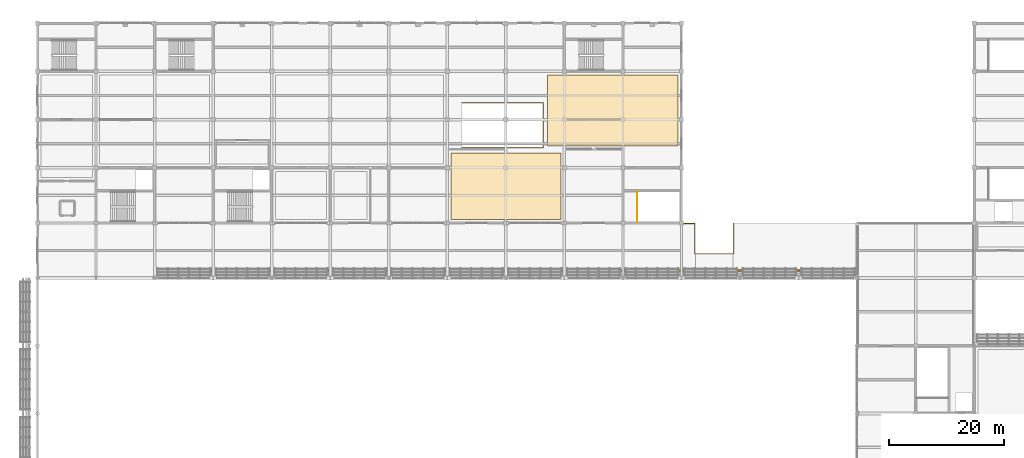
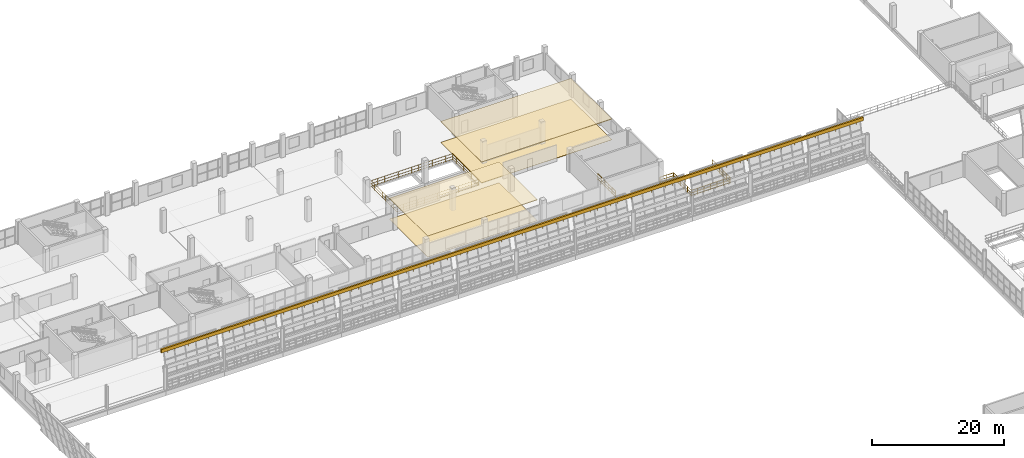
# One storey, part 152 of 157: 4 coverings, 4 railings.
"""IFC4 building model written with IfcOpenShell, lengths in metres."""

from ifc_helpers import new_model, si_unit, direction, frame, origin, origin_2d, place, context, subcontext, project, spatial, polyline, rectangle, circle, outline, extrude, material, layer, layer_set, type_object, element, save


model = new_model("IFC4")

# Units and contexts
model_context = context("Model", 3, precision=1e-05, world=origin(), true_north=direction((0.0, 1.0)))
body_context = subcontext(model_context, "Body", "Model", "MODEL_VIEW")
ifc_project = project(units=[si_unit("LENGTHUNIT", "METRE"), si_unit("AREAUNIT", "SQUARE_METRE"), si_unit("VOLUMEUNIT", "CUBIC_METRE"), si_unit("PLANEANGLEUNIT", "RADIAN"), si_unit("MASSUNIT", "GRAM", prefix="KILO")], contexts=[model_context])

# Site, building, storey
site_placement = place(None, origin())
site = spatial("IfcSite", under=ifc_project, at=site_placement, CompositionType="ELEMENT")
building_placement = place(site_placement, origin())
building = spatial("IfcBuilding", under=site, at=building_placement, Name="Brelvane Convention Centre", CompositionType="ELEMENT")
storey_placement = place(building_placement, frame((0.0, 0.0, 10.800048828125)))
storey = spatial("IfcBuildingStorey", under=building, at=storey_placement, Name="L02", CompositionType="ELEMENT", Elevation=10.800048828125)

# Coverings
ifc_material_1 = material(Name="Perforated Anodised Aluminium Alloy 6063 Acoustic Baffle", Category="aluminium")
ifc_layer_1 = layer(ifc_material_1, 0.110107421875)
ifc_layer_set_1 = layer_set([ifc_layer_1], Name="Perforated Anodised Aluminium Alloy 6063 Acoustic Baffle")
covering_type_1 = type_object("IfcCoveringType", Name="Interior Finish CL-BAF-110", PredefinedType="CEILING", material=ifc_layer_set_1)
covering_1_placement = place(storey_placement, frame((0.0, 0.0, 3.794921875)))
element("IfcCovering", 1, at=covering_1_placement, inside=storey, type_object=covering_type_1, Name="Meeting Room 305 Acoustic Ceiling (CL-BAF-110)", PredefinedType="CEILING", context=body_context, shape_type="SweptSolid", body=[
    extrude(outline(polyline([(88.830078125, 122.6298828125), (111.570068359375, 122.6298828125), (111.570068359375, 134.969970703125), (88.830078125, 134.969970703125), (88.830078125, 122.6298828125)])), origin(), (0.0, 0.0, 1.0), 0.110107421875),
])
ifc_material_2 = material(Name="Perforated Anodised Aluminium Alloy 6063 Acoustic Baffle", Category="aluminium")
ifc_layer_2 = layer(ifc_material_2, 0.090087890625)
ifc_layer_set_2 = layer_set([ifc_layer_2], Name="Perforated Anodised Aluminium Alloy 6063 Acoustic Baffle")
covering_type_2 = type_object("IfcCoveringType", Name="Interior Finish CL-BAF-90", PredefinedType="CEILING", material=ifc_layer_set_2)
covering_2_placement = place(storey_placement, frame((0.0, 0.0, 3.81494140625)))
element("IfcCovering", 2, at=covering_2_placement, inside=storey, type_object=covering_type_2, Name="Seminar Room 304 Acoustic Ceiling (CL-BAF-90)", PredefinedType="CEILING", context=body_context, shape_type="SweptSolid", body=[
    extrude(outline(polyline([(72.030029296875, 109.830078125), (91.169921875, 109.830078125), (91.169921875, 121.3701171875), (72.030029296875, 121.3701171875), (72.030029296875, 109.830078125)])), origin(), (0.0, 0.0, 1.0), 0.090087890625),
])
ifc_material_3 = material(Name="Heavy-Duty Quartz-Filled Industrial Epoxy Screed Grade A")
ifc_layer_3 = layer(ifc_material_3, 0.034912109375)
ifc_layer_set_3 = layer_set([ifc_layer_3], Name="Heavy-Duty Quartz-Filled Industrial Epoxy Screed Grade A")
covering_type_3 = type_object("IfcCoveringType", Name="Interior Finish FL-EPX-35", PredefinedType="FLOORING", material=ifc_layer_set_3)
covering_3_placement = place(storey_placement, origin())
element("IfcCovering", 3, at=covering_3_placement, inside=storey, type_object=covering_type_3, Name="Seminar Room 304 Floor Finish (FL-EPX-35)", PredefinedType="FLOORING", context=body_context, shape_type="SweptSolid", body=[
    extrude(outline(polyline([(72.030029296875, 109.830078125), (91.169921875, 109.830078125), (91.169921875, 121.3701171875), (72.030029296875, 121.3701171875), (72.030029296875, 109.830078125)])), origin(), (0.0, 0.0, 1.0), 0.034912109375),
])
ifc_material_4 = material(Name="Heavy-Duty Quartz-Filled Industrial Epoxy Screed Grade A")
ifc_layer_4 = layer(ifc_material_4, 0.044921875)
ifc_layer_set_4 = layer_set([ifc_layer_4], Name="Heavy-Duty Quartz-Filled Industrial Epoxy Screed Grade A")
covering_type_4 = type_object("IfcCoveringType", Name="Interior Finish FL-EPX-45", PredefinedType="FLOORING", material=ifc_layer_set_4)
covering_4_placement = place(storey_placement, origin())
element("IfcCovering", 4, at=covering_4_placement, inside=storey, type_object=covering_type_4, Name="Meeting Room 305 Floor Finish (FL-EPX-45)", PredefinedType="FLOORING", context=body_context, shape_type="SweptSolid", body=[
    extrude(outline(polyline([(88.830078125, 122.6298828125), (111.570068359375, 122.6298828125), (111.570068359375, 134.969970703125), (88.830078125, 134.969970703125), (88.830078125, 122.6298828125)])), origin(), (0.0, 0.0, 1.0), 0.044921875),
])

# Railings
ifc_material_5 = material(Name="Steel E350 (350 MPa)", Category="steel")
railing_type_1 = type_object("IfcRailingType", Name="Railing BL-ATR-1", PredefinedType="BALUSTRADE", material=ifc_material_5)
railing_1_placement = place(storey_placement, frame((73.8798828125, 122.280029296875, 0.0)))
element("IfcRailing", 5, at=railing_1_placement, inside=storey, type_object=railing_type_1, Name="Railing BL-ATR-1 L02-atrium_well_07", PredefinedType="BALUSTRADE", context=body_context, shape_type="SweptSolid", body=[
    extrude(circle(Radius=0.02392578125, at=origin_2d()), frame((0.0, 0.0, 1.15576171875), z_axis=(1.0, 0.0, 0.0), x_axis=(0.0, 1.0, 0.0)), (0.0, 0.0, 1.0), 14.240234375),
    extrude(circle(Radius=0.02392578125, at=origin_2d()), frame((0.0, 0.0, 0.613525390625), z_axis=(1.0, 0.0, 0.0), x_axis=(0.0, 1.0, 0.0)), (0.0, 0.0, 1.0), 14.240234375),
    extrude(circle(Radius=0.02392578125, at=origin_2d()), frame((0.0, 0.0, 0.139892578125), z_axis=(1.0, 0.0, 0.0), x_axis=(0.0, 1.0, 0.0)), (0.0, 0.0, 1.0), 14.240234375),
    extrude(circle(Radius=0.02392578125, at=origin_2d()), frame((14.240234375, 0.0, 1.15576171875), z_axis=(0.0, 1.0, 0.0), x_axis=(-1.0, 0.0, 0.0)), (0.0, 0.0, 1.0), 7.840087890625),
    extrude(circle(Radius=0.02392578125, at=origin_2d()), frame((14.240234375, 0.0, 0.613525390625), z_axis=(0.0, 1.0, 0.0), x_axis=(-1.0, 0.0, 0.0)), (0.0, 0.0, 1.0), 7.840087890625),
    extrude(circle(Radius=0.02392578125, at=origin_2d()), frame((14.240234375, 0.0, 0.139892578125), z_axis=(0.0, 1.0, 0.0), x_axis=(-1.0, 0.0, 0.0)), (0.0, 0.0, 1.0), 7.840087890625),
    extrude(circle(Radius=0.02392578125, at=origin_2d()), frame((14.240234375, 7.840087890625, 1.15576171875), z_axis=(-1.0, 0.0, 0.0), x_axis=(0.0, -1.0, 0.0)), (0.0, 0.0, 1.0), 14.240234375),
    extrude(circle(Radius=0.02392578125, at=origin_2d()), frame((14.240234375, 7.840087890625, 0.613525390625), z_axis=(-1.0, 0.0, 0.0), x_axis=(0.0, -1.0, 0.0)), (0.0, 0.0, 1.0), 14.240234375),
    extrude(circle(Radius=0.02392578125, at=origin_2d()), frame((14.240234375, 7.840087890625, 0.139892578125), z_axis=(-1.0, 0.0, 0.0), x_axis=(0.0, -1.0, 0.0)), (0.0, 0.0, 1.0), 14.240234375),
    extrude(circle(Radius=0.02392578125, at=origin_2d()), frame((0.0, 7.840087890625, 1.15576171875), z_axis=(0.0, -1.0, 0.0), x_axis=(1.0, 0.0, 0.0)), (0.0, 0.0, 1.0), 7.835205078125),
    extrude(circle(Radius=0.02392578125, at=origin_2d()), frame((0.0, 7.840087890625, 0.613525390625), z_axis=(0.0, -1.0, 0.0), x_axis=(1.0, 0.0, 0.0)), (0.0, 0.0, 1.0), 7.835205078125),
    extrude(circle(Radius=0.02392578125, at=origin_2d()), frame((0.0, 7.840087890625, 0.139892578125), z_axis=(0.0, -1.0, 0.0), x_axis=(1.0, 0.0, 0.0)), (0.0, 0.0, 1.0), 7.835205078125),
    extrude(circle(Radius=0.02099609375, at=origin_2d()), origin(), (0.0, 0.0, 1.0), 1.1318359375),
    extrude(circle(Radius=0.02099609375, at=origin_2d()), frame((1.186767578125, 0.0, 0.0)), (0.0, 0.0, 1.0), 1.1318359375),
    extrude(circle(Radius=0.02099609375, at=origin_2d()), frame((2.373291015625, 0.0, 0.0)), (0.0, 0.0, 1.0), 1.1318359375),
    extrude(circle(Radius=0.02099609375, at=origin_2d()), frame((3.56005859375, 0.0, 0.0)), (0.0, 0.0, 1.0), 1.1318359375),
    extrude(circle(Radius=0.02099609375, at=origin_2d()), frame((4.746826171875, 0.0, 0.0)), (0.0, 0.0, 1.0), 1.1318359375),
    extrude(circle(Radius=0.02099609375, at=origin_2d()), frame((5.933349609375, 0.0, 0.0)), (0.0, 0.0, 1.0), 1.1318359375),
    extrude(circle(Radius=0.02099609375, at=origin_2d()), frame((7.1201171875, 0.0, 0.0)), (0.0, 0.0, 1.0), 1.1318359375),
    extrude(circle(Radius=0.02099609375, at=origin_2d()), frame((8.306884765625, 0.0, 0.0)), (0.0, 0.0, 1.0), 1.1318359375),
    extrude(circle(Radius=0.02099609375, at=origin_2d()), frame((9.493408203125, 0.0, 0.0)), (0.0, 0.0, 1.0), 1.1318359375),
    extrude(circle(Radius=0.02099609375, at=origin_2d()), frame((10.68017578125, 0.0, 0.0)), (0.0, 0.0, 1.0), 1.1318359375),
    extrude(circle(Radius=0.02099609375, at=origin_2d()), frame((11.866943359375, 0.0, 0.0)), (0.0, 0.0, 1.0), 1.1318359375),
    extrude(circle(Radius=0.02099609375, at=origin_2d()), frame((13.053466796875, 0.0, 0.0)), (0.0, 0.0, 1.0), 1.1318359375),
    extrude(circle(Radius=0.02099609375, at=origin_2d()), frame((14.240234375, 0.0, 0.0)), (0.0, 0.0, 1.0), 1.1318359375),
    extrude(circle(Radius=0.02099609375, at=origin_2d()), frame((14.240234375, 1.1201171875, 0.0)), (0.0, 0.0, 1.0), 1.1318359375),
    extrude(circle(Radius=0.02099609375, at=origin_2d()), frame((14.240234375, 2.239990234375, 0.0)), (0.0, 0.0, 1.0), 1.1318359375),
    extrude(circle(Radius=0.02099609375, at=origin_2d()), frame((14.240234375, 3.360107421875, 0.0)), (0.0, 0.0, 1.0), 1.1318359375),
    extrude(circle(Radius=0.02099609375, at=origin_2d()), frame((14.240234375, 4.47998046875, 0.0)), (0.0, 0.0, 1.0), 1.1318359375),
    extrude(circle(Radius=0.02099609375, at=origin_2d()), frame((14.240234375, 5.60009765625, 0.0)), (0.0, 0.0, 1.0), 1.1318359375),
    extrude(circle(Radius=0.02099609375, at=origin_2d()), frame((14.240234375, 6.719970703125, 0.0)), (0.0, 0.0, 1.0), 1.1318359375),
    extrude(circle(Radius=0.02099609375, at=origin_2d()), frame((14.240234375, 7.840087890625, 0.0)), (0.0, 0.0, 1.0), 1.1318359375),
    extrude(circle(Radius=0.02099609375, at=origin_2d()), frame((13.053466796875, 7.840087890625, 0.0)), (0.0, 0.0, 1.0), 1.1318359375),
    extrude(circle(Radius=0.02099609375, at=origin_2d()), frame((11.866943359375, 7.840087890625, 0.0)), (0.0, 0.0, 1.0), 1.1318359375),
    extrude(circle(Radius=0.02099609375, at=origin_2d()), frame((10.68017578125, 7.840087890625, 0.0)), (0.0, 0.0, 1.0), 1.1318359375),
    extrude(circle(Radius=0.02099609375, at=origin_2d()), frame((9.493408203125, 7.840087890625, 0.0)), (0.0, 0.0, 1.0), 1.1318359375),
    extrude(circle(Radius=0.02099609375, at=origin_2d()), frame((8.306884765625, 7.840087890625, 0.0)), (0.0, 0.0, 1.0), 1.1318359375),
    extrude(circle(Radius=0.02099609375, at=origin_2d()), frame((7.1201171875, 7.840087890625, 0.0)), (0.0, 0.0, 1.0), 1.1318359375),
    extrude(circle(Radius=0.02099609375, at=origin_2d()), frame((5.933349609375, 7.840087890625, 0.0)), (0.0, 0.0, 1.0), 1.1318359375),
    extrude(circle(Radius=0.02099609375, at=origin_2d()), frame((4.746826171875, 7.840087890625, 0.0)), (0.0, 0.0, 1.0), 1.1318359375),
    extrude(circle(Radius=0.02099609375, at=origin_2d()), frame((3.56005859375, 7.840087890625, 0.0)), (0.0, 0.0, 1.0), 1.1318359375),
    extrude(circle(Radius=0.02099609375, at=origin_2d()), frame((2.373291015625, 7.840087890625, 0.0)), (0.0, 0.0, 1.0), 1.1318359375),
    extrude(circle(Radius=0.02099609375, at=origin_2d()), frame((1.186767578125, 7.840087890625, 0.0)), (0.0, 0.0, 1.0), 1.1318359375),
    extrude(circle(Radius=0.02099609375, at=origin_2d()), frame((0.0, 7.840087890625, 0.0)), (0.0, 0.0, 1.0), 1.1318359375),
    extrude(circle(Radius=0.02099609375, at=origin_2d()), frame((0.0, 6.720703125, 0.0)), (0.0, 0.0, 1.0), 1.1318359375),
    extrude(circle(Radius=0.02099609375, at=origin_2d()), frame((0.0, 5.6015625, 0.0)), (0.0, 0.0, 1.0), 1.1318359375),
    extrude(circle(Radius=0.02099609375, at=origin_2d()), frame((0.0, 4.482177734375, 0.0)), (0.0, 0.0, 1.0), 1.1318359375),
    extrude(circle(Radius=0.02099609375, at=origin_2d()), frame((0.0, 3.36279296875, 0.0)), (0.0, 0.0, 1.0), 1.1318359375),
    extrude(circle(Radius=0.02099609375, at=origin_2d()), frame((0.0, 2.243408203125, 0.0)), (0.0, 0.0, 1.0), 1.1318359375),
    extrude(circle(Radius=0.02099609375, at=origin_2d()), frame((0.0, 1.124267578125, 0.0)), (0.0, 0.0, 1.0), 1.1318359375),
    extrude(circle(Radius=0.02099609375, at=origin_2d()), frame((0.0, 0.0048828125, 0.0)), (0.0, 0.0, 1.0), 1.1318359375),
])
ifc_material_6 = material(Name="Steel E350 (350 MPa)", Category="steel")
railing_type_2 = type_object("IfcRailingType", Name="Railing BL-CU-1", PredefinedType="BALUSTRADE", material=ifc_material_6)
railing_2_placement = place(storey_placement, frame((20.39990234375, 100.906982421875, 5.39990234375)))
element("IfcRailing", 6, at=railing_2_placement, inside=storey, type_object=railing_type_2, Name="Railing BL-CU-1 L02-cu_hull_n_6", PredefinedType="BALUSTRADE", context=body_context, shape_type="SweptSolid", body=[
    extrude(rectangle(XDim=0.280029296875, YDim=0.6201171875, at=origin_2d()), frame((0.0, 0.0, 0.81005859375), z_axis=(1.0, 0.0, 0.0), x_axis=(0.0, 1.0, 0.0)), (0.0, 0.0, 1.0), 122.400146484375),
    extrude(circle(Radius=0.02099609375, at=origin_2d()), origin(), (0.0, 0.0, 1.0), 1.072021484375),
    extrude(circle(Radius=0.02099609375, at=origin_2d()), frame((1.188232421875, 0.0, 0.0)), (0.0, 0.0, 1.0), 1.072021484375),
    extrude(circle(Radius=0.02099609375, at=origin_2d()), frame((2.376708984375, 0.0, 0.0)), (0.0, 0.0, 1.0), 1.072021484375),
    extrude(circle(Radius=0.02099609375, at=origin_2d()), frame((3.56494140625, 0.0, 0.0)), (0.0, 0.0, 1.0), 1.072021484375),
    extrude(circle(Radius=0.02099609375, at=origin_2d()), frame((4.75341796875, 0.0, 0.0)), (0.0, 0.0, 1.0), 1.072021484375),
    extrude(circle(Radius=0.02099609375, at=origin_2d()), frame((5.941650390625, 0.0, 0.0)), (0.0, 0.0, 1.0), 1.072021484375),
    extrude(circle(Radius=0.02099609375, at=origin_2d()), frame((7.130126953125, 0.0, 0.0)), (0.0, 0.0, 1.0), 1.072021484375),
    extrude(circle(Radius=0.02099609375, at=origin_2d()), frame((8.318359375, 0.0, 0.0)), (0.0, 0.0, 1.0), 1.072021484375),
    extrude(circle(Radius=0.02099609375, at=origin_2d()), frame((9.5068359375, 0.0, 0.0)), (0.0, 0.0, 1.0), 1.072021484375),
    extrude(circle(Radius=0.02099609375, at=origin_2d()), frame((10.695068359375, 0.0, 0.0)), (0.0, 0.0, 1.0), 1.072021484375),
    extrude(circle(Radius=0.02099609375, at=origin_2d()), frame((11.883544921875, 0.0, 0.0)), (0.0, 0.0, 1.0), 1.072021484375),
    extrude(circle(Radius=0.02099609375, at=origin_2d()), frame((13.07177734375, 0.0, 0.0)), (0.0, 0.0, 1.0), 1.072021484375),
    extrude(circle(Radius=0.02099609375, at=origin_2d()), frame((14.26025390625, 0.0, 0.0)), (0.0, 0.0, 1.0), 1.072021484375),
    extrude(circle(Radius=0.02099609375, at=origin_2d()), frame((15.448486328125, 0.0, 0.0)), (0.0, 0.0, 1.0), 1.072021484375),
    extrude(circle(Radius=0.02099609375, at=origin_2d()), frame((16.636962890625, 0.0, 0.0)), (0.0, 0.0, 1.0), 1.072021484375),
    extrude(circle(Radius=0.02099609375, at=origin_2d()), frame((17.8251953125, 0.0, 0.0)), (0.0, 0.0, 1.0), 1.072021484375),
    extrude(circle(Radius=0.02099609375, at=origin_2d()), frame((19.013671875, 0.0, 0.0)), (0.0, 0.0, 1.0), 1.072021484375),
    extrude(circle(Radius=0.02099609375, at=origin_2d()), frame((20.201904296875, 0.0, 0.0)), (0.0, 0.0, 1.0), 1.072021484375),
    extrude(circle(Radius=0.02099609375, at=origin_2d()), frame((21.390380859375, 0.0, 0.0)), (0.0, 0.0, 1.0), 1.072021484375),
    extrude(circle(Radius=0.02099609375, at=origin_2d()), frame((22.57861328125, 0.0, 0.0)), (0.0, 0.0, 1.0), 1.072021484375),
    extrude(circle(Radius=0.02099609375, at=origin_2d()), frame((23.76708984375, 0.0, 0.0)), (0.0, 0.0, 1.0), 1.072021484375),
    extrude(circle(Radius=0.02099609375, at=origin_2d()), frame((24.955322265625, 0.0, 0.0)), (0.0, 0.0, 1.0), 1.072021484375),
    extrude(circle(Radius=0.02099609375, at=origin_2d()), frame((26.143798828125, 0.0, 0.0)), (0.0, 0.0, 1.0), 1.072021484375),
    extrude(circle(Radius=0.02099609375, at=origin_2d()), frame((27.33203125, 0.0, 0.0)), (0.0, 0.0, 1.0), 1.072021484375),
    extrude(circle(Radius=0.02099609375, at=origin_2d()), frame((28.5205078125, 0.0, 0.0)), (0.0, 0.0, 1.0), 1.072021484375),
    extrude(circle(Radius=0.02099609375, at=origin_2d()), frame((29.708740234375, 0.0, 0.0)), (0.0, 0.0, 1.0), 1.072021484375),
    extrude(circle(Radius=0.02099609375, at=origin_2d()), frame((30.897216796875, 0.0, 0.0)), (0.0, 0.0, 1.0), 1.072021484375),
    extrude(circle(Radius=0.02099609375, at=origin_2d()), frame((32.08544921875, 0.0, 0.0)), (0.0, 0.0, 1.0), 1.072021484375),
    extrude(circle(Radius=0.02099609375, at=origin_2d()), frame((33.27392578125, 0.0, 0.0)), (0.0, 0.0, 1.0), 1.072021484375),
    extrude(circle(Radius=0.02099609375, at=origin_2d()), frame((34.462158203125, 0.0, 0.0)), (0.0, 0.0, 1.0), 1.072021484375),
    extrude(circle(Radius=0.02099609375, at=origin_2d()), frame((35.650634765625, 0.0, 0.0)), (0.0, 0.0, 1.0), 1.072021484375),
    extrude(circle(Radius=0.02099609375, at=origin_2d()), frame((36.8388671875, 0.0, 0.0)), (0.0, 0.0, 1.0), 1.072021484375),
    extrude(circle(Radius=0.02099609375, at=origin_2d()), frame((38.02734375, 0.0, 0.0)), (0.0, 0.0, 1.0), 1.072021484375),
    extrude(circle(Radius=0.02099609375, at=origin_2d()), frame((39.215576171875, 0.0, 0.0)), (0.0, 0.0, 1.0), 1.072021484375),
    extrude(circle(Radius=0.02099609375, at=origin_2d()), frame((40.404052734375, 0.0, 0.0)), (0.0, 0.0, 1.0), 1.072021484375),
    extrude(circle(Radius=0.02099609375, at=origin_2d()), frame((41.59228515625, 0.0, 0.0)), (0.0, 0.0, 1.0), 1.072021484375),
    extrude(circle(Radius=0.02099609375, at=origin_2d()), frame((42.780517578125, 0.0, 0.0)), (0.0, 0.0, 1.0), 1.072021484375),
    extrude(circle(Radius=0.02099609375, at=origin_2d()), frame((43.968994140625, 0.0, 0.0)), (0.0, 0.0, 1.0), 1.072021484375),
    extrude(circle(Radius=0.02099609375, at=origin_2d()), frame((45.1572265625, 0.0, 0.0)), (0.0, 0.0, 1.0), 1.072021484375),
    extrude(circle(Radius=0.02099609375, at=origin_2d()), frame((46.345703125, 0.0, 0.0)), (0.0, 0.0, 1.0), 1.072021484375),
    extrude(circle(Radius=0.02099609375, at=origin_2d()), frame((47.533935546875, 0.0, 0.0)), (0.0, 0.0, 1.0), 1.072021484375),
    extrude(circle(Radius=0.02099609375, at=origin_2d()), frame((48.722412109375, 0.0, 0.0)), (0.0, 0.0, 1.0), 1.072021484375),
    extrude(circle(Radius=0.02099609375, at=origin_2d()), frame((49.91064453125, 0.0, 0.0)), (0.0, 0.0, 1.0), 1.072021484375),
    extrude(circle(Radius=0.02099609375, at=origin_2d()), frame((51.09912109375, 0.0, 0.0)), (0.0, 0.0, 1.0), 1.072021484375),
    extrude(circle(Radius=0.02099609375, at=origin_2d()), frame((52.287353515625, 0.0, 0.0)), (0.0, 0.0, 1.0), 1.072021484375),
    extrude(circle(Radius=0.02099609375, at=origin_2d()), frame((53.475830078125, 0.0, 0.0)), (0.0, 0.0, 1.0), 1.072021484375),
    extrude(circle(Radius=0.02099609375, at=origin_2d()), frame((54.6640625, 0.0, 0.0)), (0.0, 0.0, 1.0), 1.072021484375),
    extrude(circle(Radius=0.02099609375, at=origin_2d()), frame((55.8525390625, 0.0, 0.0)), (0.0, 0.0, 1.0), 1.072021484375),
    extrude(circle(Radius=0.02099609375, at=origin_2d()), frame((57.040771484375, 0.0, 0.0)), (0.0, 0.0, 1.0), 1.072021484375),
    extrude(circle(Radius=0.02099609375, at=origin_2d()), frame((58.229248046875, 0.0, 0.0)), (0.0, 0.0, 1.0), 1.072021484375),
    extrude(circle(Radius=0.02099609375, at=origin_2d()), frame((59.41748046875, 0.0, 0.0)), (0.0, 0.0, 1.0), 1.072021484375),
    extrude(circle(Radius=0.02099609375, at=origin_2d()), frame((60.60595703125, 0.0, 0.0)), (0.0, 0.0, 1.0), 1.072021484375),
    extrude(circle(Radius=0.02099609375, at=origin_2d()), frame((61.794189453125, 0.0, 0.0)), (0.0, 0.0, 1.0), 1.072021484375),
    extrude(circle(Radius=0.02099609375, at=origin_2d()), frame((62.982666015625, 0.0, 0.0)), (0.0, 0.0, 1.0), 1.072021484375),
    extrude(circle(Radius=0.02099609375, at=origin_2d()), frame((64.1708984375, 0.0, 0.0)), (0.0, 0.0, 1.0), 1.072021484375),
    extrude(circle(Radius=0.02099609375, at=origin_2d()), frame((65.359375, 0.0, 0.0)), (0.0, 0.0, 1.0), 1.072021484375),
    extrude(circle(Radius=0.02099609375, at=origin_2d()), frame((66.547607421875, 0.0, 0.0)), (0.0, 0.0, 1.0), 1.072021484375),
    extrude(circle(Radius=0.02099609375, at=origin_2d()), frame((67.736083984375, 0.0, 0.0)), (0.0, 0.0, 1.0), 1.072021484375),
    extrude(circle(Radius=0.02099609375, at=origin_2d()), frame((68.92431640625, 0.0, 0.0)), (0.0, 0.0, 1.0), 1.072021484375),
    extrude(circle(Radius=0.02099609375, at=origin_2d()), frame((70.11279296875, 0.0, 0.0)), (0.0, 0.0, 1.0), 1.072021484375),
    extrude(circle(Radius=0.02099609375, at=origin_2d()), frame((71.301025390625, 0.0, 0.0)), (0.0, 0.0, 1.0), 1.072021484375),
    extrude(circle(Radius=0.02099609375, at=origin_2d()), frame((72.489501953125, 0.0, 0.0)), (0.0, 0.0, 1.0), 1.072021484375),
    extrude(circle(Radius=0.02099609375, at=origin_2d()), frame((73.677734375, 0.0, 0.0)), (0.0, 0.0, 1.0), 1.072021484375),
    extrude(circle(Radius=0.02099609375, at=origin_2d()), frame((74.8662109375, 0.0, 0.0)), (0.0, 0.0, 1.0), 1.072021484375),
    extrude(circle(Radius=0.02099609375, at=origin_2d()), frame((76.054443359375, 0.0, 0.0)), (0.0, 0.0, 1.0), 1.072021484375),
    extrude(circle(Radius=0.02099609375, at=origin_2d()), frame((77.242919921875, 0.0, 0.0)), (0.0, 0.0, 1.0), 1.072021484375),
    extrude(circle(Radius=0.02099609375, at=origin_2d()), frame((78.43115234375, 0.0, 0.0)), (0.0, 0.0, 1.0), 1.072021484375),
    extrude(circle(Radius=0.02099609375, at=origin_2d()), frame((79.61962890625, 0.0, 0.0)), (0.0, 0.0, 1.0), 1.072021484375),
    extrude(circle(Radius=0.02099609375, at=origin_2d()), frame((80.807861328125, 0.0, 0.0)), (0.0, 0.0, 1.0), 1.072021484375),
    extrude(circle(Radius=0.02099609375, at=origin_2d()), frame((81.99609375, 0.0, 0.0)), (0.0, 0.0, 1.0), 1.072021484375),
    extrude(circle(Radius=0.02099609375, at=origin_2d()), frame((83.1845703125, 0.0, 0.0)), (0.0, 0.0, 1.0), 1.072021484375),
    extrude(circle(Radius=0.02099609375, at=origin_2d()), frame((84.372802734375, 0.0, 0.0)), (0.0, 0.0, 1.0), 1.072021484375),
    extrude(circle(Radius=0.02099609375, at=origin_2d()), frame((85.561279296875, 0.0, 0.0)), (0.0, 0.0, 1.0), 1.072021484375),
    extrude(circle(Radius=0.02099609375, at=origin_2d()), frame((86.74951171875, 0.0, 0.0)), (0.0, 0.0, 1.0), 1.072021484375),
    extrude(circle(Radius=0.02099609375, at=origin_2d()), frame((87.93798828125, 0.0, 0.0)), (0.0, 0.0, 1.0), 1.072021484375),
    extrude(circle(Radius=0.02099609375, at=origin_2d()), frame((89.126220703125, 0.0, 0.0)), (0.0, 0.0, 1.0), 1.072021484375),
    extrude(circle(Radius=0.02099609375, at=origin_2d()), frame((90.314697265625, 0.0, 0.0)), (0.0, 0.0, 1.0), 1.072021484375),
    extrude(circle(Radius=0.02099609375, at=origin_2d()), frame((91.5029296875, 0.0, 0.0)), (0.0, 0.0, 1.0), 1.072021484375),
    extrude(circle(Radius=0.02099609375, at=origin_2d()), frame((92.69140625, 0.0, 0.0)), (0.0, 0.0, 1.0), 1.072021484375),
    extrude(circle(Radius=0.02099609375, at=origin_2d()), frame((93.879638671875, 0.0, 0.0)), (0.0, 0.0, 1.0), 1.072021484375),
    extrude(circle(Radius=0.02099609375, at=origin_2d()), frame((95.068115234375, 0.0, 0.0)), (0.0, 0.0, 1.0), 1.072021484375),
    extrude(circle(Radius=0.02099609375, at=origin_2d()), frame((96.25634765625, 0.0, 0.0)), (0.0, 0.0, 1.0), 1.072021484375),
    extrude(circle(Radius=0.02099609375, at=origin_2d()), frame((97.44482421875, 0.0, 0.0)), (0.0, 0.0, 1.0), 1.072021484375),
    extrude(circle(Radius=0.02099609375, at=origin_2d()), frame((98.633056640625, 0.0, 0.0)), (0.0, 0.0, 1.0), 1.072021484375),
    extrude(circle(Radius=0.02099609375, at=origin_2d()), frame((99.821533203125, 0.0, 0.0)), (0.0, 0.0, 1.0), 1.072021484375),
    extrude(circle(Radius=0.02099609375, at=origin_2d()), frame((101.009765625, 0.0, 0.0)), (0.0, 0.0, 1.0), 1.072021484375),
    extrude(circle(Radius=0.02099609375, at=origin_2d()), frame((102.1982421875, 0.0, 0.0)), (0.0, 0.0, 1.0), 1.072021484375),
    extrude(circle(Radius=0.02099609375, at=origin_2d()), frame((103.386474609375, 0.0, 0.0)), (0.0, 0.0, 1.0), 1.072021484375),
    extrude(circle(Radius=0.02099609375, at=origin_2d()), frame((104.574951171875, 0.0, 0.0)), (0.0, 0.0, 1.0), 1.072021484375),
    extrude(circle(Radius=0.02099609375, at=origin_2d()), frame((105.76318359375, 0.0, 0.0)), (0.0, 0.0, 1.0), 1.072021484375),
    extrude(circle(Radius=0.02099609375, at=origin_2d()), frame((106.95166015625, 0.0, 0.0)), (0.0, 0.0, 1.0), 1.072021484375),
    extrude(circle(Radius=0.02099609375, at=origin_2d()), frame((108.139892578125, 0.0, 0.0)), (0.0, 0.0, 1.0), 1.072021484375),
    extrude(circle(Radius=0.02099609375, at=origin_2d()), frame((109.328369140625, 0.0, 0.0)), (0.0, 0.0, 1.0), 1.072021484375),
    extrude(circle(Radius=0.02099609375, at=origin_2d()), frame((110.5166015625, 0.0, 0.0)), (0.0, 0.0, 1.0), 1.072021484375),
    extrude(circle(Radius=0.02099609375, at=origin_2d()), frame((111.705078125, 0.0, 0.0)), (0.0, 0.0, 1.0), 1.072021484375),
    extrude(circle(Radius=0.02099609375, at=origin_2d()), frame((112.893310546875, 0.0, 0.0)), (0.0, 0.0, 1.0), 1.072021484375),
    extrude(circle(Radius=0.02099609375, at=origin_2d()), frame((114.081787109375, 0.0, 0.0)), (0.0, 0.0, 1.0), 1.072021484375),
    extrude(circle(Radius=0.02099609375, at=origin_2d()), frame((115.27001953125, 0.0, 0.0)), (0.0, 0.0, 1.0), 1.072021484375),
    extrude(circle(Radius=0.02099609375, at=origin_2d()), frame((116.45849609375, 0.0, 0.0)), (0.0, 0.0, 1.0), 1.072021484375),
    extrude(circle(Radius=0.02099609375, at=origin_2d()), frame((117.646728515625, 0.0, 0.0)), (0.0, 0.0, 1.0), 1.072021484375),
    extrude(circle(Radius=0.02099609375, at=origin_2d()), frame((118.835205078125, 0.0, 0.0)), (0.0, 0.0, 1.0), 1.072021484375),
    extrude(circle(Radius=0.02099609375, at=origin_2d()), frame((120.0234375, 0.0, 0.0)), (0.0, 0.0, 1.0), 1.072021484375),
    extrude(circle(Radius=0.02099609375, at=origin_2d()), frame((121.2119140625, 0.0, 0.0)), (0.0, 0.0, 1.0), 1.072021484375),
    extrude(circle(Radius=0.02099609375, at=origin_2d()), frame((122.400146484375, 0.0, 0.0)), (0.0, 0.0, 1.0), 1.072021484375),
])
ifc_material_7 = material(Name="Steel E350 (350 MPa)", Category="steel")
railing_type_3 = type_object("IfcRailingType", Name="Railing GR-EXT-1", PredefinedType="GUARDRAIL", material=ifc_material_7)
railing_3_placement = place(storey_placement, frame((112.14990234375, 109.1201171875, 0.0)))
element("IfcRailing", 7, at=railing_3_placement, inside=storey, type_object=railing_type_3, Name="Railing GR-EXT-1 L02-court_vr1_pit_L02", PredefinedType="GUARDRAIL", context=body_context, shape_type="SweptSolid", body=[
    extrude(circle(Radius=0.02392578125, at=origin_2d()), frame((0.0, 0.0, 1.1259765625), z_axis=(1.0, 0.0, 0.0), x_axis=(0.0, 1.0, 0.0)), (0.0, 0.0, 1.0), 2.3701171875),
    extrude(circle(Radius=0.02392578125, at=origin_2d()), frame((0.0, 0.0, 0.597900390625), z_axis=(1.0, 0.0, 0.0), x_axis=(0.0, 1.0, 0.0)), (0.0, 0.0, 1.0), 2.3701171875),
    extrude(circle(Radius=0.02392578125, at=origin_2d()), frame((0.0, 0.0, 0.139892578125), z_axis=(1.0, 0.0, 0.0), x_axis=(0.0, 1.0, 0.0)), (0.0, 0.0, 1.0), 2.3701171875),
    extrude(circle(Radius=0.02392578125, at=origin_2d()), frame((2.3701171875, 0.0, 1.1259765625), z_axis=(0.0, -1.0, 0.0), x_axis=(1.0, 0.0, 0.0)), (0.0, 0.0, 1.0), 5.300048828125),
    extrude(circle(Radius=0.02392578125, at=origin_2d()), frame((2.3701171875, 0.0, 0.597900390625), z_axis=(0.0, -1.0, 0.0), x_axis=(1.0, 0.0, 0.0)), (0.0, 0.0, 1.0), 5.300048828125),
    extrude(circle(Radius=0.02392578125, at=origin_2d()), frame((2.3701171875, 0.0, 0.139892578125), z_axis=(0.0, -1.0, 0.0), x_axis=(1.0, 0.0, 0.0)), (0.0, 0.0, 1.0), 5.300048828125),
    extrude(circle(Radius=0.02392578125, at=origin_2d()), frame((2.3701171875, -5.300048828125, 1.1259765625), z_axis=(1.0, 0.0, 0.0), x_axis=(0.0, 1.0, 0.0)), (0.0, 0.0, 1.0), 6.760009765625),
    extrude(circle(Radius=0.02392578125, at=origin_2d()), frame((2.3701171875, -5.300048828125, 0.597900390625), z_axis=(1.0, 0.0, 0.0), x_axis=(0.0, 1.0, 0.0)), (0.0, 0.0, 1.0), 6.760009765625),
    extrude(circle(Radius=0.02392578125, at=origin_2d()), frame((2.3701171875, -5.300048828125, 0.139892578125), z_axis=(1.0, 0.0, 0.0), x_axis=(0.0, 1.0, 0.0)), (0.0, 0.0, 1.0), 6.760009765625),
    extrude(circle(Radius=0.02392578125, at=origin_2d()), frame((9.130126953125, -5.300048828125, 1.1259765625), z_axis=(0.0, 1.0, 0.0), x_axis=(-1.0, 0.0, 0.0)), (0.0, 0.0, 1.0), 5.300048828125),
    extrude(circle(Radius=0.02392578125, at=origin_2d()), frame((9.130126953125, -5.300048828125, 0.597900390625), z_axis=(0.0, 1.0, 0.0), x_axis=(-1.0, 0.0, 0.0)), (0.0, 0.0, 1.0), 5.300048828125),
    extrude(circle(Radius=0.02392578125, at=origin_2d()), frame((9.130126953125, -5.300048828125, 0.139892578125), z_axis=(0.0, 1.0, 0.0), x_axis=(-1.0, 0.0, 0.0)), (0.0, 0.0, 1.0), 5.300048828125),
    extrude(circle(Radius=0.02099609375, at=origin_2d()), origin(), (0.0, 0.0, 1.0), 1.101806640625),
    extrude(circle(Radius=0.02099609375, at=origin_2d()), frame((1.18505859375, 0.0, 0.0)), (0.0, 0.0, 1.0), 1.101806640625),
    extrude(circle(Radius=0.02099609375, at=origin_2d()), frame((2.3701171875, 0.0, 0.0)), (0.0, 0.0, 1.0), 1.101806640625),
    extrude(circle(Radius=0.02099609375, at=origin_2d()), frame((2.3701171875, -1.06005859375, 0.0)), (0.0, 0.0, 1.0), 1.101806640625),
    extrude(circle(Radius=0.02099609375, at=origin_2d()), frame((2.3701171875, -2.1201171875, 0.0)), (0.0, 0.0, 1.0), 1.101806640625),
    extrude(circle(Radius=0.02099609375, at=origin_2d()), frame((2.3701171875, -3.179931640625, 0.0)), (0.0, 0.0, 1.0), 1.101806640625),
    extrude(circle(Radius=0.02099609375, at=origin_2d()), frame((2.3701171875, -4.239990234375, 0.0)), (0.0, 0.0, 1.0), 1.101806640625),
    extrude(circle(Radius=0.02099609375, at=origin_2d()), frame((2.3701171875, -5.300048828125, 0.0)), (0.0, 0.0, 1.0), 1.101806640625),
    extrude(circle(Radius=0.02099609375, at=origin_2d()), frame((3.496826171875, -5.300048828125, 0.0)), (0.0, 0.0, 1.0), 1.101806640625),
    extrude(circle(Radius=0.02099609375, at=origin_2d()), frame((4.62353515625, -5.300048828125, 0.0)), (0.0, 0.0, 1.0), 1.101806640625),
    extrude(circle(Radius=0.02099609375, at=origin_2d()), frame((5.75, -5.300048828125, 0.0)), (0.0, 0.0, 1.0), 1.101806640625),
    extrude(circle(Radius=0.02099609375, at=origin_2d()), frame((6.876708984375, -5.300048828125, 0.0)), (0.0, 0.0, 1.0), 1.101806640625),
    extrude(circle(Radius=0.02099609375, at=origin_2d()), frame((8.00341796875, -5.300048828125, 0.0)), (0.0, 0.0, 1.0), 1.101806640625),
    extrude(circle(Radius=0.02099609375, at=origin_2d()), frame((9.130126953125, -5.300048828125, 0.0)), (0.0, 0.0, 1.0), 1.101806640625),
    extrude(circle(Radius=0.02099609375, at=origin_2d()), frame((9.130126953125, -4.239990234375, 0.0)), (0.0, 0.0, 1.0), 1.101806640625),
    extrude(circle(Radius=0.02099609375, at=origin_2d()), frame((9.130126953125, -3.179931640625, 0.0)), (0.0, 0.0, 1.0), 1.101806640625),
    extrude(circle(Radius=0.02099609375, at=origin_2d()), frame((9.130126953125, -2.1201171875, 0.0)), (0.0, 0.0, 1.0), 1.101806640625),
    extrude(circle(Radius=0.02099609375, at=origin_2d()), frame((9.130126953125, -1.06005859375, 0.0)), (0.0, 0.0, 1.0), 1.101806640625),
    extrude(circle(Radius=0.02099609375, at=origin_2d()), frame((9.130126953125, 0.0, 0.0)), (0.0, 0.0, 1.0), 1.101806640625),
])
ifc_material_8 = material(Name="Steel E350 (350 MPa)", Category="steel")
railing_type_4 = type_object("IfcRailingType", Name="Stair Railing GR-ST-2", PredefinedType="GUARDRAIL", material=ifc_material_8)
railing_4_placement = place(storey_placement, frame((104.489990234375, 109.320068359375, -0.02001953125)))
element("IfcRailing", 8, at=railing_4_placement, inside=storey, type_object=railing_type_4, Name="Stair ST-20 L02 Top Well Guard", PredefinedType="GUARDRAIL", context=body_context, shape_type="SweptSolid", body=[
    extrude(circle(Radius=0.02392578125, at=origin_2d()), frame((0.0, 0.0, 1.15576171875), z_axis=(0.0, 1.0, 0.0), x_axis=(-1.0, 0.0, 0.0)), (0.0, 0.0, 1.0), 5.35986328125),
    extrude(circle(Radius=0.02392578125, at=origin_2d()), frame((0.0, 0.0, 0.613525390625), z_axis=(0.0, 1.0, 0.0), x_axis=(-1.0, 0.0, 0.0)), (0.0, 0.0, 1.0), 5.35986328125),
    extrude(circle(Radius=0.02392578125, at=origin_2d()), frame((0.0, 0.0, 0.139892578125), z_axis=(0.0, 1.0, 0.0), x_axis=(-1.0, 0.0, 0.0)), (0.0, 0.0, 1.0), 5.35986328125),
    extrude(circle(Radius=0.02099609375, at=origin_2d()), origin(), (0.0, 0.0, 1.0), 1.1318359375),
    extrude(circle(Radius=0.02099609375, at=origin_2d()), frame((0.0, 1.072021484375, 0.0)), (0.0, 0.0, 1.0), 1.1318359375),
    extrude(circle(Radius=0.02099609375, at=origin_2d()), frame((0.0, 2.14404296875, 0.0)), (0.0, 0.0, 1.0), 1.1318359375),
    extrude(circle(Radius=0.02099609375, at=origin_2d()), frame((0.0, 3.2158203125, 0.0)), (0.0, 0.0, 1.0), 1.1318359375),
    extrude(circle(Radius=0.02099609375, at=origin_2d()), frame((0.0, 4.287841796875, 0.0)), (0.0, 0.0, 1.0), 1.1318359375),
    extrude(circle(Radius=0.02099609375, at=origin_2d()), frame((0.0, 5.35986328125, 0.0)), (0.0, 0.0, 1.0), 1.1318359375),
])

save(model, "model.ifc")
